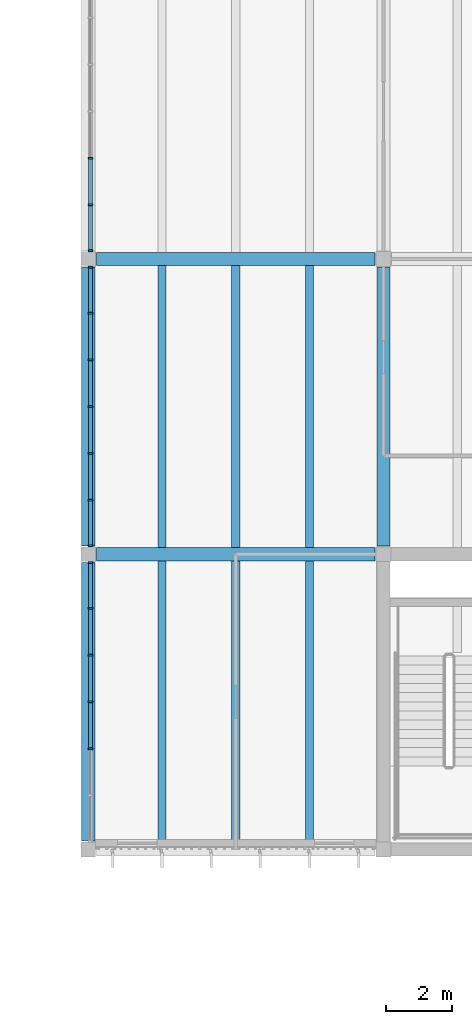
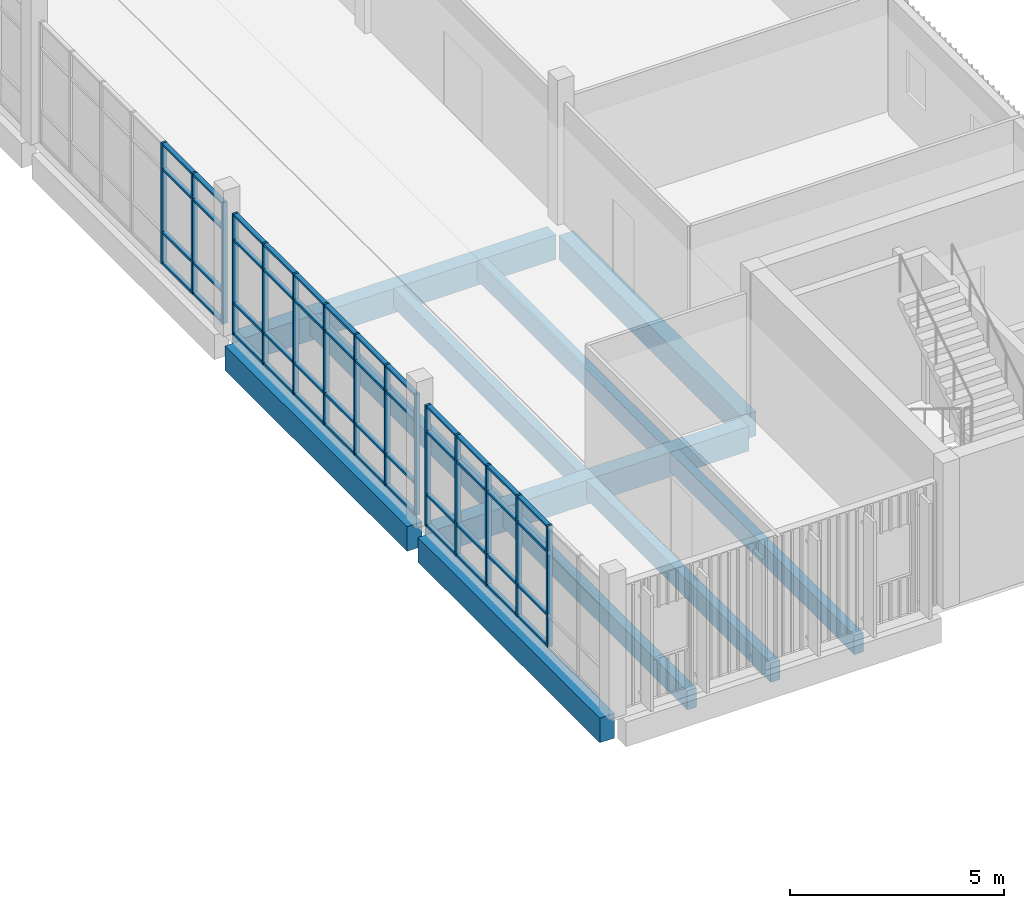
# One storey, part 18 of 88: 63 members, 11 beams, 3 elements without a shape of their own.
"""IFC4 building model written with IfcOpenShell, lengths in metres."""

from ifc_helpers import new_model, si_unit, direction, frame, origin, origin_2d, place, context, subcontext, project, spatial, rectangle, extrude, material, material_profile, profile_set, type_object, element, aggregate, save


model = new_model("IFC4")

# Units and contexts
model_context = context("Model", 3, precision=1e-05, world=origin(), true_north=direction((0.0, 1.0)))
body_context = subcontext(model_context, "Body", "Model", "MODEL_VIEW")
ifc_project = project(units=[si_unit("LENGTHUNIT", "METRE"), si_unit("AREAUNIT", "SQUARE_METRE"), si_unit("VOLUMEUNIT", "CUBIC_METRE"), si_unit("PLANEANGLEUNIT", "RADIAN"), si_unit("MASSUNIT", "GRAM", prefix="KILO")], contexts=[model_context])

# Site, building, storey
site_placement = place(None, origin())
site = spatial("IfcSite", under=ifc_project, at=site_placement, CompositionType="ELEMENT")
building_placement = place(site_placement, origin())
building = spatial("IfcBuilding", under=site, at=building_placement, Name="Merrow Basin Faculty of Sciences", CompositionType="ELEMENT")
storey_placement = place(building_placement, frame((0.0, 0.0, 9.0)))
storey = spatial("IfcBuildingStorey", under=building, at=storey_placement, Name="L02", CompositionType="ELEMENT", Elevation=9.0)

# Curtain wall, members
ifc_material_1 = material(Name="Aluminium alloy 6063", Category="aluminium")
curtain_wall_type = type_object("IfcCurtainWallType", Name="Court curtain wall 140", PredefinedType="NOTDEFINED", material=ifc_material_1)
curtain_wall_1_placement = place(storey_placement, origin())
curtain_wall_1 = element("IfcCurtainWall", 1, at=curtain_wall_1_placement, inside=storey, type_object=curtain_wall_type, Name="Court curtain wall L02 1", PredefinedType="NOTDEFINED")
ifc_material_2 = material(Name="Aluminium alloy 6063", Category="aluminium")
ifc_material_profile_1 = material_profile(ifc_material_2, rectangle(XDim=0.139892578125, YDim=0.06005859375, at=origin_2d()))
ifc_profile_set_1 = profile_set([ifc_material_profile_1], Name="Aluminium alloy 6063")
member_type_1 = type_object("IfcMemberType", Name="Aluminium mullion 60x140", PredefinedType="MULLION", material=ifc_profile_set_1)
member_1_placement = place(storey_placement, frame((54.070068359375, 64.074951171875, 0.0), z_axis=(0.0, 0.0, 1.0), x_axis=(-1.0, 0.0, 0.0)))
member_1 = element("IfcMember", 2, at=member_1_placement, type_object=member_type_1, Name="CW8 mullion 3", PredefinedType="MULLION", context=body_context, shape_type="SweptSolid", body=[
    extrude(rectangle(XDim=0.139892578125, YDim=0.06005859375, at=origin_2d()), origin(), (0.0, 0.0, 1.0), 3.449951171875),
])
member_2_placement = place(storey_placement, frame((54.070068359375, 65.5, 0.0), z_axis=(0.0, 0.0, 1.0), x_axis=(-1.0, 0.0, 0.0)))
member_2 = element("IfcMember", 3, at=member_2_placement, type_object=member_type_1, Name="CW8 mullion 4", PredefinedType="MULLION", context=body_context, shape_type="SweptSolid", body=[
    extrude(rectangle(XDim=0.139892578125, YDim=0.06005859375, at=origin_2d()), origin(), (0.0, 0.0, 1.0), 3.449951171875),
])
member_3_placement = place(storey_placement, frame((54.070068359375, 66.925048828125, 0.0), z_axis=(0.0, 0.0, 1.0), x_axis=(-1.0, 0.0, 0.0)))
member_3 = element("IfcMember", 4, at=member_3_placement, type_object=member_type_1, Name="CW8 mullion 5", PredefinedType="MULLION", context=body_context, shape_type="SweptSolid", body=[
    extrude(rectangle(XDim=0.139892578125, YDim=0.06005859375, at=origin_2d()), origin(), (0.0, 0.0, 1.0), 3.449951171875),
])
member_4_placement = place(storey_placement, frame((54.070068359375, 68.35009765625, 0.0), z_axis=(0.0, 0.0, 1.0), x_axis=(-1.0, 0.0, 0.0)))
member_4 = element("IfcMember", 5, at=member_4_placement, type_object=member_type_1, Name="CW8 mullion 6", PredefinedType="MULLION", context=body_context, shape_type="SweptSolid", body=[
    extrude(rectangle(XDim=0.139892578125, YDim=0.06005859375, at=origin_2d()), origin(), (0.0, 0.0, 1.0), 3.449951171875),
])
member_5_placement = place(storey_placement, frame((54.070068359375, 69.7451171875, 0.0), z_axis=(0.0, 0.0, 1.0), x_axis=(-1.0, 0.0, 0.0)))
member_5 = element("IfcMember", 6, at=member_5_placement, type_object=member_type_1, Name="CW8 mullion 7", PredefinedType="MULLION", context=body_context, shape_type="SweptSolid", body=[
    extrude(rectangle(XDim=0.139892578125, YDim=0.06005859375, at=origin_2d()), origin(), (0.0, 0.0, 1.0), 3.449951171875),
])

curtain_wall_2_placement = place(storey_placement, origin())
curtain_wall_2 = element("IfcCurtainWall", 7, at=curtain_wall_2_placement, inside=storey, type_object=curtain_wall_type, Name="Court curtain wall L02 2", PredefinedType="NOTDEFINED")
member_6_placement = place(storey_placement, frame((54.070068359375, 70.2548828125, 0.0), z_axis=(0.0, 0.0, 1.0), x_axis=(-1.0, 0.0, 0.0)))
member_6 = element("IfcMember", 8, at=member_6_placement, type_object=member_type_1, Name="CW8 mullion 1", PredefinedType="MULLION", context=body_context, shape_type="SweptSolid", body=[
    extrude(rectangle(XDim=0.139892578125, YDim=0.06005859375, at=origin_2d()), origin(), (0.0, 0.0, 1.0), 3.449951171875),
])
member_7_placement = place(storey_placement, frame((54.070068359375, 71.64990234375, 0.0), z_axis=(0.0, 0.0, 1.0), x_axis=(-1.0, 0.0, 0.0)))
member_7 = element("IfcMember", 9, at=member_7_placement, type_object=member_type_1, Name="CW8 mullion 2", PredefinedType="MULLION", context=body_context, shape_type="SweptSolid", body=[
    extrude(rectangle(XDim=0.139892578125, YDim=0.06005859375, at=origin_2d()), origin(), (0.0, 0.0, 1.0), 3.449951171875),
])
member_8_placement = place(storey_placement, frame((54.070068359375, 73.074951171875, 0.0), z_axis=(0.0, 0.0, 1.0), x_axis=(-1.0, 0.0, 0.0)))
member_8 = element("IfcMember", 10, at=member_8_placement, type_object=member_type_1, Name="CW8 mullion 3", PredefinedType="MULLION", context=body_context, shape_type="SweptSolid", body=[
    extrude(rectangle(XDim=0.139892578125, YDim=0.06005859375, at=origin_2d()), origin(), (0.0, 0.0, 1.0), 3.449951171875),
])
member_9_placement = place(storey_placement, frame((54.070068359375, 74.5, 0.0), z_axis=(0.0, 0.0, 1.0), x_axis=(-1.0, 0.0, 0.0)))
member_9 = element("IfcMember", 11, at=member_9_placement, type_object=member_type_1, Name="CW8 mullion 4", PredefinedType="MULLION", context=body_context, shape_type="SweptSolid", body=[
    extrude(rectangle(XDim=0.139892578125, YDim=0.06005859375, at=origin_2d()), origin(), (0.0, 0.0, 1.0), 3.449951171875),
])
member_10_placement = place(storey_placement, frame((54.070068359375, 75.925048828125, 0.0), z_axis=(0.0, 0.0, 1.0), x_axis=(-1.0, 0.0, 0.0)))
member_10 = element("IfcMember", 12, at=member_10_placement, type_object=member_type_1, Name="CW8 mullion 5", PredefinedType="MULLION", context=body_context, shape_type="SweptSolid", body=[
    extrude(rectangle(XDim=0.139892578125, YDim=0.06005859375, at=origin_2d()), origin(), (0.0, 0.0, 1.0), 3.449951171875),
])
member_11_placement = place(storey_placement, frame((54.070068359375, 77.35009765625, 0.0), z_axis=(0.0, 0.0, 1.0), x_axis=(-1.0, 0.0, 0.0)))
member_11 = element("IfcMember", 13, at=member_11_placement, type_object=member_type_1, Name="CW8 mullion 6", PredefinedType="MULLION", context=body_context, shape_type="SweptSolid", body=[
    extrude(rectangle(XDim=0.139892578125, YDim=0.06005859375, at=origin_2d()), origin(), (0.0, 0.0, 1.0), 3.449951171875),
])
member_12_placement = place(storey_placement, frame((54.070068359375, 78.7451171875, 0.0), z_axis=(0.0, 0.0, 1.0), x_axis=(-1.0, 0.0, 0.0)))
member_12 = element("IfcMember", 14, at=member_12_placement, type_object=member_type_1, Name="CW8 mullion 7", PredefinedType="MULLION", context=body_context, shape_type="SweptSolid", body=[
    extrude(rectangle(XDim=0.139892578125, YDim=0.06005859375, at=origin_2d()), origin(), (0.0, 0.0, 1.0), 3.449951171875),
])

curtain_wall_3_placement = place(storey_placement, origin())
curtain_wall_3 = element("IfcCurtainWall", 15, at=curtain_wall_3_placement, inside=storey, type_object=curtain_wall_type, Name="Court curtain wall L02 3", PredefinedType="NOTDEFINED")
member_13_placement = place(storey_placement, frame((54.070068359375, 79.2548828125, 0.0), z_axis=(0.0, 0.0, 1.0), x_axis=(-1.0, 0.0, 0.0)))
member_13 = element("IfcMember", 16, at=member_13_placement, type_object=member_type_1, Name="CW8 mullion 1", PredefinedType="MULLION", context=body_context, shape_type="SweptSolid", body=[
    extrude(rectangle(XDim=0.139892578125, YDim=0.06005859375, at=origin_2d()), origin(), (0.0, 0.0, 1.0), 3.449951171875),
])
member_14_placement = place(storey_placement, frame((54.070068359375, 80.64990234375, 0.0), z_axis=(0.0, 0.0, 1.0), x_axis=(-1.0, 0.0, 0.0)))
member_14 = element("IfcMember", 17, at=member_14_placement, type_object=member_type_1, Name="CW8 mullion 2", PredefinedType="MULLION", context=body_context, shape_type="SweptSolid", body=[
    extrude(rectangle(XDim=0.139892578125, YDim=0.06005859375, at=origin_2d()), origin(), (0.0, 0.0, 1.0), 3.449951171875),
])
member_15_placement = place(storey_placement, frame((54.070068359375, 82.074951171875, 0.0), z_axis=(0.0, 0.0, 1.0), x_axis=(-1.0, 0.0, 0.0)))
member_15 = element("IfcMember", 18, at=member_15_placement, type_object=member_type_1, Name="CW8 mullion 3", PredefinedType="MULLION", context=body_context, shape_type="SweptSolid", body=[
    extrude(rectangle(XDim=0.139892578125, YDim=0.06005859375, at=origin_2d()), origin(), (0.0, 0.0, 1.0), 3.449951171875),
])

# Member
ifc_material_3 = material(Name="Aluminium alloy 6063", Category="aluminium")
ifc_material_profile_2 = material_profile(ifc_material_3, rectangle(XDim=0.1201171875, YDim=0.06005859375, at=origin_2d()))
ifc_profile_set_2 = profile_set([ifc_material_profile_2], Name="Aluminium alloy 6063")
member_type_2 = type_object("IfcMemberType", Name="Aluminium transom 60x120", PredefinedType="USERDEFINED", material=ifc_profile_set_2)
member_16_placement = place(storey_placement, frame((54.070068359375, 64.10498046875, 0.030029296875), z_axis=(0.0, 1.0, 0.0), x_axis=(-1.0, 0.0, 0.0)))
member_16 = element("IfcMember", 19, at=member_16_placement, type_object=member_type_2, Name="CW8 transom 3.1", ObjectType="TRANSOM", PredefinedType="USERDEFINED", context=body_context, shape_type="SweptSolid", body=[
    extrude(rectangle(XDim=0.1201171875, YDim=0.06005859375, at=origin_2d()), origin(), (0.0, 0.0, 1.0), 1.364990234375),
])

member_17_placement = place(storey_placement, frame((54.070068359375, 64.10498046875, 0.89990234375), z_axis=(0.0, 1.0, 0.0), x_axis=(-1.0, 0.0, 0.0)))
member_17 = element("IfcMember", 20, at=member_17_placement, type_object=member_type_2, Name="CW8 transom 3.2", ObjectType="TRANSOM", PredefinedType="USERDEFINED", context=body_context, shape_type="SweptSolid", body=[
    extrude(rectangle(XDim=0.1201171875, YDim=0.06005859375, at=origin_2d()), origin(), (0.0, 0.0, 1.0), 1.364990234375),
])

member_18_placement = place(storey_placement, frame((54.070068359375, 64.10498046875, 2.699951171875), z_axis=(0.0, 1.0, 0.0), x_axis=(-1.0, 0.0, 0.0)))
member_18 = element("IfcMember", 21, at=member_18_placement, type_object=member_type_2, Name="CW8 transom 3.3", ObjectType="TRANSOM", PredefinedType="USERDEFINED", context=body_context, shape_type="SweptSolid", body=[
    extrude(rectangle(XDim=0.1201171875, YDim=0.06005859375, at=origin_2d()), origin(), (0.0, 0.0, 1.0), 1.364990234375),
])

member_19_placement = place(storey_placement, frame((54.070068359375, 64.10498046875, 3.419921875), z_axis=(0.0, 1.0, 0.0), x_axis=(-1.0, 0.0, 0.0)))
member_19 = element("IfcMember", 22, at=member_19_placement, type_object=member_type_2, Name="CW8 transom 3.4", ObjectType="TRANSOM", PredefinedType="USERDEFINED", context=body_context, shape_type="SweptSolid", body=[
    extrude(rectangle(XDim=0.1201171875, YDim=0.06005859375, at=origin_2d()), origin(), (0.0, 0.0, 1.0), 1.364990234375),
])

member_20_placement = place(storey_placement, frame((54.070068359375, 65.530029296875, 0.030029296875), z_axis=(0.0, 1.0, 0.0), x_axis=(-1.0, 0.0, 0.0)))
member_20 = element("IfcMember", 23, at=member_20_placement, type_object=member_type_2, Name="CW8 transom 4.1", ObjectType="TRANSOM", PredefinedType="USERDEFINED", context=body_context, shape_type="SweptSolid", body=[
    extrude(rectangle(XDim=0.1201171875, YDim=0.06005859375, at=origin_2d()), origin(), (0.0, 0.0, 1.0), 1.364990234375),
])

member_21_placement = place(storey_placement, frame((54.070068359375, 65.530029296875, 0.89990234375), z_axis=(0.0, 1.0, 0.0), x_axis=(-1.0, 0.0, 0.0)))
member_21 = element("IfcMember", 24, at=member_21_placement, type_object=member_type_2, Name="CW8 transom 4.2", ObjectType="TRANSOM", PredefinedType="USERDEFINED", context=body_context, shape_type="SweptSolid", body=[
    extrude(rectangle(XDim=0.1201171875, YDim=0.06005859375, at=origin_2d()), origin(), (0.0, 0.0, 1.0), 1.364990234375),
])

member_22_placement = place(storey_placement, frame((54.070068359375, 65.530029296875, 2.699951171875), z_axis=(0.0, 1.0, 0.0), x_axis=(-1.0, 0.0, 0.0)))
member_22 = element("IfcMember", 25, at=member_22_placement, type_object=member_type_2, Name="CW8 transom 4.3", ObjectType="TRANSOM", PredefinedType="USERDEFINED", context=body_context, shape_type="SweptSolid", body=[
    extrude(rectangle(XDim=0.1201171875, YDim=0.06005859375, at=origin_2d()), origin(), (0.0, 0.0, 1.0), 1.364990234375),
])

member_23_placement = place(storey_placement, frame((54.070068359375, 65.530029296875, 3.419921875), z_axis=(0.0, 1.0, 0.0), x_axis=(-1.0, 0.0, 0.0)))
member_23 = element("IfcMember", 26, at=member_23_placement, type_object=member_type_2, Name="CW8 transom 4.4", ObjectType="TRANSOM", PredefinedType="USERDEFINED", context=body_context, shape_type="SweptSolid", body=[
    extrude(rectangle(XDim=0.1201171875, YDim=0.06005859375, at=origin_2d()), origin(), (0.0, 0.0, 1.0), 1.364990234375),
])

member_24_placement = place(storey_placement, frame((54.070068359375, 66.955078125, 0.030029296875), z_axis=(0.0, 1.0, 0.0), x_axis=(-1.0, 0.0, 0.0)))
member_24 = element("IfcMember", 27, at=member_24_placement, type_object=member_type_2, Name="CW8 transom 5.1", ObjectType="TRANSOM", PredefinedType="USERDEFINED", context=body_context, shape_type="SweptSolid", body=[
    extrude(rectangle(XDim=0.1201171875, YDim=0.06005859375, at=origin_2d()), origin(), (0.0, 0.0, 1.0), 1.364990234375),
])

member_25_placement = place(storey_placement, frame((54.070068359375, 66.955078125, 0.89990234375), z_axis=(0.0, 1.0, 0.0), x_axis=(-1.0, 0.0, 0.0)))
member_25 = element("IfcMember", 28, at=member_25_placement, type_object=member_type_2, Name="CW8 transom 5.2", ObjectType="TRANSOM", PredefinedType="USERDEFINED", context=body_context, shape_type="SweptSolid", body=[
    extrude(rectangle(XDim=0.1201171875, YDim=0.06005859375, at=origin_2d()), origin(), (0.0, 0.0, 1.0), 1.364990234375),
])

member_26_placement = place(storey_placement, frame((54.070068359375, 66.955078125, 2.699951171875), z_axis=(0.0, 1.0, 0.0), x_axis=(-1.0, 0.0, 0.0)))
member_26 = element("IfcMember", 29, at=member_26_placement, type_object=member_type_2, Name="CW8 transom 5.3", ObjectType="TRANSOM", PredefinedType="USERDEFINED", context=body_context, shape_type="SweptSolid", body=[
    extrude(rectangle(XDim=0.1201171875, YDim=0.06005859375, at=origin_2d()), origin(), (0.0, 0.0, 1.0), 1.364990234375),
])

member_27_placement = place(storey_placement, frame((54.070068359375, 66.955078125, 3.419921875), z_axis=(0.0, 1.0, 0.0), x_axis=(-1.0, 0.0, 0.0)))
member_27 = element("IfcMember", 30, at=member_27_placement, type_object=member_type_2, Name="CW8 transom 5.4", ObjectType="TRANSOM", PredefinedType="USERDEFINED", context=body_context, shape_type="SweptSolid", body=[
    extrude(rectangle(XDim=0.1201171875, YDim=0.06005859375, at=origin_2d()), origin(), (0.0, 0.0, 1.0), 1.364990234375),
])

member_28_placement = place(storey_placement, frame((54.070068359375, 68.3798828125, 0.030029296875), z_axis=(0.0, 1.0, 0.0), x_axis=(-1.0, 0.0, 0.0)))
member_28 = element("IfcMember", 31, at=member_28_placement, type_object=member_type_2, Name="CW8 transom 6.1", ObjectType="TRANSOM", PredefinedType="USERDEFINED", context=body_context, shape_type="SweptSolid", body=[
    extrude(rectangle(XDim=0.1201171875, YDim=0.06005859375, at=origin_2d()), origin(), (0.0, 0.0, 1.0), 1.335205078125),
])

member_29_placement = place(storey_placement, frame((54.070068359375, 68.3798828125, 0.89990234375), z_axis=(0.0, 1.0, 0.0), x_axis=(-1.0, 0.0, 0.0)))
member_29 = element("IfcMember", 32, at=member_29_placement, type_object=member_type_2, Name="CW8 transom 6.2", ObjectType="TRANSOM", PredefinedType="USERDEFINED", context=body_context, shape_type="SweptSolid", body=[
    extrude(rectangle(XDim=0.1201171875, YDim=0.06005859375, at=origin_2d()), origin(), (0.0, 0.0, 1.0), 1.335205078125),
])

member_30_placement = place(storey_placement, frame((54.070068359375, 68.3798828125, 2.699951171875), z_axis=(0.0, 1.0, 0.0), x_axis=(-1.0, 0.0, 0.0)))
member_30 = element("IfcMember", 33, at=member_30_placement, type_object=member_type_2, Name="CW8 transom 6.3", ObjectType="TRANSOM", PredefinedType="USERDEFINED", context=body_context, shape_type="SweptSolid", body=[
    extrude(rectangle(XDim=0.1201171875, YDim=0.06005859375, at=origin_2d()), origin(), (0.0, 0.0, 1.0), 1.335205078125),
])

member_31_placement = place(storey_placement, frame((54.070068359375, 68.3798828125, 3.419921875), z_axis=(0.0, 1.0, 0.0), x_axis=(-1.0, 0.0, 0.0)))
member_31 = element("IfcMember", 34, at=member_31_placement, type_object=member_type_2, Name="CW8 transom 6.4", ObjectType="TRANSOM", PredefinedType="USERDEFINED", context=body_context, shape_type="SweptSolid", body=[
    extrude(rectangle(XDim=0.1201171875, YDim=0.06005859375, at=origin_2d()), origin(), (0.0, 0.0, 1.0), 1.335205078125),
])

aggregate(curtain_wall_1, [member_1, member_2, member_3, member_4, member_5, member_16, member_17, member_18, member_19, member_20, member_21, member_22, member_23, member_24, member_25, member_26, member_27, member_28, member_29, member_30, member_31])

member_32_placement = place(storey_placement, frame((54.070068359375, 70.284912109375, 0.030029296875), z_axis=(0.0, 1.0, 0.0), x_axis=(-1.0, 0.0, 0.0)))
member_32 = element("IfcMember", 35, at=member_32_placement, type_object=member_type_2, Name="CW8 transom 1.1", ObjectType="TRANSOM", PredefinedType="USERDEFINED", context=body_context, shape_type="SweptSolid", body=[
    extrude(rectangle(XDim=0.1201171875, YDim=0.06005859375, at=origin_2d()), origin(), (0.0, 0.0, 1.0), 1.335205078125),
])

member_33_placement = place(storey_placement, frame((54.070068359375, 70.284912109375, 0.89990234375), z_axis=(0.0, 1.0, 0.0), x_axis=(-1.0, 0.0, 0.0)))
member_33 = element("IfcMember", 36, at=member_33_placement, type_object=member_type_2, Name="CW8 transom 1.2", ObjectType="TRANSOM", PredefinedType="USERDEFINED", context=body_context, shape_type="SweptSolid", body=[
    extrude(rectangle(XDim=0.1201171875, YDim=0.06005859375, at=origin_2d()), origin(), (0.0, 0.0, 1.0), 1.335205078125),
])

member_34_placement = place(storey_placement, frame((54.070068359375, 70.284912109375, 2.699951171875), z_axis=(0.0, 1.0, 0.0), x_axis=(-1.0, 0.0, 0.0)))
member_34 = element("IfcMember", 37, at=member_34_placement, type_object=member_type_2, Name="CW8 transom 1.3", ObjectType="TRANSOM", PredefinedType="USERDEFINED", context=body_context, shape_type="SweptSolid", body=[
    extrude(rectangle(XDim=0.1201171875, YDim=0.06005859375, at=origin_2d()), origin(), (0.0, 0.0, 1.0), 1.335205078125),
])

member_35_placement = place(storey_placement, frame((54.070068359375, 70.284912109375, 3.419921875), z_axis=(0.0, 1.0, 0.0), x_axis=(-1.0, 0.0, 0.0)))
member_35 = element("IfcMember", 38, at=member_35_placement, type_object=member_type_2, Name="CW8 transom 1.4", ObjectType="TRANSOM", PredefinedType="USERDEFINED", context=body_context, shape_type="SweptSolid", body=[
    extrude(rectangle(XDim=0.1201171875, YDim=0.06005859375, at=origin_2d()), origin(), (0.0, 0.0, 1.0), 1.335205078125),
])

member_36_placement = place(storey_placement, frame((54.070068359375, 71.679931640625, 0.030029296875), z_axis=(0.0, 1.0, 0.0), x_axis=(-1.0, 0.0, 0.0)))
member_36 = element("IfcMember", 39, at=member_36_placement, type_object=member_type_2, Name="CW8 transom 2.1", ObjectType="TRANSOM", PredefinedType="USERDEFINED", context=body_context, shape_type="SweptSolid", body=[
    extrude(rectangle(XDim=0.1201171875, YDim=0.06005859375, at=origin_2d()), origin(), (0.0, 0.0, 1.0), 1.364990234375),
])

member_37_placement = place(storey_placement, frame((54.070068359375, 71.679931640625, 0.89990234375), z_axis=(0.0, 1.0, 0.0), x_axis=(-1.0, 0.0, 0.0)))
member_37 = element("IfcMember", 40, at=member_37_placement, type_object=member_type_2, Name="CW8 transom 2.2", ObjectType="TRANSOM", PredefinedType="USERDEFINED", context=body_context, shape_type="SweptSolid", body=[
    extrude(rectangle(XDim=0.1201171875, YDim=0.06005859375, at=origin_2d()), origin(), (0.0, 0.0, 1.0), 1.364990234375),
])

member_38_placement = place(storey_placement, frame((54.070068359375, 71.679931640625, 2.699951171875), z_axis=(0.0, 1.0, 0.0), x_axis=(-1.0, 0.0, 0.0)))
member_38 = element("IfcMember", 41, at=member_38_placement, type_object=member_type_2, Name="CW8 transom 2.3", ObjectType="TRANSOM", PredefinedType="USERDEFINED", context=body_context, shape_type="SweptSolid", body=[
    extrude(rectangle(XDim=0.1201171875, YDim=0.06005859375, at=origin_2d()), origin(), (0.0, 0.0, 1.0), 1.364990234375),
])

member_39_placement = place(storey_placement, frame((54.070068359375, 71.679931640625, 3.419921875), z_axis=(0.0, 1.0, 0.0), x_axis=(-1.0, 0.0, 0.0)))
member_39 = element("IfcMember", 42, at=member_39_placement, type_object=member_type_2, Name="CW8 transom 2.4", ObjectType="TRANSOM", PredefinedType="USERDEFINED", context=body_context, shape_type="SweptSolid", body=[
    extrude(rectangle(XDim=0.1201171875, YDim=0.06005859375, at=origin_2d()), origin(), (0.0, 0.0, 1.0), 1.364990234375),
])

member_40_placement = place(storey_placement, frame((54.070068359375, 73.10498046875, 0.030029296875), z_axis=(0.0, 1.0, 0.0), x_axis=(-1.0, 0.0, 0.0)))
member_40 = element("IfcMember", 43, at=member_40_placement, type_object=member_type_2, Name="CW8 transom 3.1", ObjectType="TRANSOM", PredefinedType="USERDEFINED", context=body_context, shape_type="SweptSolid", body=[
    extrude(rectangle(XDim=0.1201171875, YDim=0.06005859375, at=origin_2d()), origin(), (0.0, 0.0, 1.0), 1.364990234375),
])

member_41_placement = place(storey_placement, frame((54.070068359375, 73.10498046875, 0.89990234375), z_axis=(0.0, 1.0, 0.0), x_axis=(-1.0, 0.0, 0.0)))
member_41 = element("IfcMember", 44, at=member_41_placement, type_object=member_type_2, Name="CW8 transom 3.2", ObjectType="TRANSOM", PredefinedType="USERDEFINED", context=body_context, shape_type="SweptSolid", body=[
    extrude(rectangle(XDim=0.1201171875, YDim=0.06005859375, at=origin_2d()), origin(), (0.0, 0.0, 1.0), 1.364990234375),
])

member_42_placement = place(storey_placement, frame((54.070068359375, 73.10498046875, 2.699951171875), z_axis=(0.0, 1.0, 0.0), x_axis=(-1.0, 0.0, 0.0)))
member_42 = element("IfcMember", 45, at=member_42_placement, type_object=member_type_2, Name="CW8 transom 3.3", ObjectType="TRANSOM", PredefinedType="USERDEFINED", context=body_context, shape_type="SweptSolid", body=[
    extrude(rectangle(XDim=0.1201171875, YDim=0.06005859375, at=origin_2d()), origin(), (0.0, 0.0, 1.0), 1.364990234375),
])

member_43_placement = place(storey_placement, frame((54.070068359375, 73.10498046875, 3.419921875), z_axis=(0.0, 1.0, 0.0), x_axis=(-1.0, 0.0, 0.0)))
member_43 = element("IfcMember", 46, at=member_43_placement, type_object=member_type_2, Name="CW8 transom 3.4", ObjectType="TRANSOM", PredefinedType="USERDEFINED", context=body_context, shape_type="SweptSolid", body=[
    extrude(rectangle(XDim=0.1201171875, YDim=0.06005859375, at=origin_2d()), origin(), (0.0, 0.0, 1.0), 1.364990234375),
])

member_44_placement = place(storey_placement, frame((54.070068359375, 74.530029296875, 0.030029296875), z_axis=(0.0, 1.0, 0.0), x_axis=(-1.0, 0.0, 0.0)))
member_44 = element("IfcMember", 47, at=member_44_placement, type_object=member_type_2, Name="CW8 transom 4.1", ObjectType="TRANSOM", PredefinedType="USERDEFINED", context=body_context, shape_type="SweptSolid", body=[
    extrude(rectangle(XDim=0.1201171875, YDim=0.06005859375, at=origin_2d()), origin(), (0.0, 0.0, 1.0), 1.364990234375),
])

member_45_placement = place(storey_placement, frame((54.070068359375, 74.530029296875, 0.89990234375), z_axis=(0.0, 1.0, 0.0), x_axis=(-1.0, 0.0, 0.0)))
member_45 = element("IfcMember", 48, at=member_45_placement, type_object=member_type_2, Name="CW8 transom 4.2", ObjectType="TRANSOM", PredefinedType="USERDEFINED", context=body_context, shape_type="SweptSolid", body=[
    extrude(rectangle(XDim=0.1201171875, YDim=0.06005859375, at=origin_2d()), origin(), (0.0, 0.0, 1.0), 1.364990234375),
])

member_46_placement = place(storey_placement, frame((54.070068359375, 74.530029296875, 2.699951171875), z_axis=(0.0, 1.0, 0.0), x_axis=(-1.0, 0.0, 0.0)))
member_46 = element("IfcMember", 49, at=member_46_placement, type_object=member_type_2, Name="CW8 transom 4.3", ObjectType="TRANSOM", PredefinedType="USERDEFINED", context=body_context, shape_type="SweptSolid", body=[
    extrude(rectangle(XDim=0.1201171875, YDim=0.06005859375, at=origin_2d()), origin(), (0.0, 0.0, 1.0), 1.364990234375),
])

member_47_placement = place(storey_placement, frame((54.070068359375, 74.530029296875, 3.419921875), z_axis=(0.0, 1.0, 0.0), x_axis=(-1.0, 0.0, 0.0)))
member_47 = element("IfcMember", 50, at=member_47_placement, type_object=member_type_2, Name="CW8 transom 4.4", ObjectType="TRANSOM", PredefinedType="USERDEFINED", context=body_context, shape_type="SweptSolid", body=[
    extrude(rectangle(XDim=0.1201171875, YDim=0.06005859375, at=origin_2d()), origin(), (0.0, 0.0, 1.0), 1.364990234375),
])

member_48_placement = place(storey_placement, frame((54.070068359375, 75.955078125, 0.030029296875), z_axis=(0.0, 1.0, 0.0), x_axis=(-1.0, 0.0, 0.0)))
member_48 = element("IfcMember", 51, at=member_48_placement, type_object=member_type_2, Name="CW8 transom 5.1", ObjectType="TRANSOM", PredefinedType="USERDEFINED", context=body_context, shape_type="SweptSolid", body=[
    extrude(rectangle(XDim=0.1201171875, YDim=0.06005859375, at=origin_2d()), origin(), (0.0, 0.0, 1.0), 1.364990234375),
])

member_49_placement = place(storey_placement, frame((54.070068359375, 75.955078125, 0.89990234375), z_axis=(0.0, 1.0, 0.0), x_axis=(-1.0, 0.0, 0.0)))
member_49 = element("IfcMember", 52, at=member_49_placement, type_object=member_type_2, Name="CW8 transom 5.2", ObjectType="TRANSOM", PredefinedType="USERDEFINED", context=body_context, shape_type="SweptSolid", body=[
    extrude(rectangle(XDim=0.1201171875, YDim=0.06005859375, at=origin_2d()), origin(), (0.0, 0.0, 1.0), 1.364990234375),
])

member_50_placement = place(storey_placement, frame((54.070068359375, 75.955078125, 2.699951171875), z_axis=(0.0, 1.0, 0.0), x_axis=(-1.0, 0.0, 0.0)))
member_50 = element("IfcMember", 53, at=member_50_placement, type_object=member_type_2, Name="CW8 transom 5.3", ObjectType="TRANSOM", PredefinedType="USERDEFINED", context=body_context, shape_type="SweptSolid", body=[
    extrude(rectangle(XDim=0.1201171875, YDim=0.06005859375, at=origin_2d()), origin(), (0.0, 0.0, 1.0), 1.364990234375),
])

member_51_placement = place(storey_placement, frame((54.070068359375, 75.955078125, 3.419921875), z_axis=(0.0, 1.0, 0.0), x_axis=(-1.0, 0.0, 0.0)))
member_51 = element("IfcMember", 54, at=member_51_placement, type_object=member_type_2, Name="CW8 transom 5.4", ObjectType="TRANSOM", PredefinedType="USERDEFINED", context=body_context, shape_type="SweptSolid", body=[
    extrude(rectangle(XDim=0.1201171875, YDim=0.06005859375, at=origin_2d()), origin(), (0.0, 0.0, 1.0), 1.364990234375),
])

member_52_placement = place(storey_placement, frame((54.070068359375, 77.3798828125, 0.030029296875), z_axis=(0.0, 1.0, 0.0), x_axis=(-1.0, 0.0, 0.0)))
member_52 = element("IfcMember", 55, at=member_52_placement, type_object=member_type_2, Name="CW8 transom 6.1", ObjectType="TRANSOM", PredefinedType="USERDEFINED", context=body_context, shape_type="SweptSolid", body=[
    extrude(rectangle(XDim=0.1201171875, YDim=0.06005859375, at=origin_2d()), origin(), (0.0, 0.0, 1.0), 1.335205078125),
])

member_53_placement = place(storey_placement, frame((54.070068359375, 77.3798828125, 0.89990234375), z_axis=(0.0, 1.0, 0.0), x_axis=(-1.0, 0.0, 0.0)))
member_53 = element("IfcMember", 56, at=member_53_placement, type_object=member_type_2, Name="CW8 transom 6.2", ObjectType="TRANSOM", PredefinedType="USERDEFINED", context=body_context, shape_type="SweptSolid", body=[
    extrude(rectangle(XDim=0.1201171875, YDim=0.06005859375, at=origin_2d()), origin(), (0.0, 0.0, 1.0), 1.335205078125),
])

member_54_placement = place(storey_placement, frame((54.070068359375, 77.3798828125, 2.699951171875), z_axis=(0.0, 1.0, 0.0), x_axis=(-1.0, 0.0, 0.0)))
member_54 = element("IfcMember", 57, at=member_54_placement, type_object=member_type_2, Name="CW8 transom 6.3", ObjectType="TRANSOM", PredefinedType="USERDEFINED", context=body_context, shape_type="SweptSolid", body=[
    extrude(rectangle(XDim=0.1201171875, YDim=0.06005859375, at=origin_2d()), origin(), (0.0, 0.0, 1.0), 1.335205078125),
])

member_55_placement = place(storey_placement, frame((54.070068359375, 77.3798828125, 3.419921875), z_axis=(0.0, 1.0, 0.0), x_axis=(-1.0, 0.0, 0.0)))
member_55 = element("IfcMember", 58, at=member_55_placement, type_object=member_type_2, Name="CW8 transom 6.4", ObjectType="TRANSOM", PredefinedType="USERDEFINED", context=body_context, shape_type="SweptSolid", body=[
    extrude(rectangle(XDim=0.1201171875, YDim=0.06005859375, at=origin_2d()), origin(), (0.0, 0.0, 1.0), 1.335205078125),
])

aggregate(curtain_wall_2, [member_6, member_7, member_8, member_9, member_10, member_11, member_12, member_32, member_33, member_34, member_35, member_36, member_37, member_38, member_39, member_40, member_41, member_42, member_43, member_44, member_45, member_46, member_47, member_48, member_49, member_50, member_51, member_52, member_53, member_54, member_55])

member_56_placement = place(storey_placement, frame((54.070068359375, 79.284912109375, 0.030029296875), z_axis=(0.0, 1.0, 0.0), x_axis=(-1.0, 0.0, 0.0)))
member_56 = element("IfcMember", 59, at=member_56_placement, type_object=member_type_2, Name="CW8 transom 1.1", ObjectType="TRANSOM", PredefinedType="USERDEFINED", context=body_context, shape_type="SweptSolid", body=[
    extrude(rectangle(XDim=0.1201171875, YDim=0.06005859375, at=origin_2d()), origin(), (0.0, 0.0, 1.0), 1.335205078125),
])

member_57_placement = place(storey_placement, frame((54.070068359375, 79.284912109375, 0.89990234375), z_axis=(0.0, 1.0, 0.0), x_axis=(-1.0, 0.0, 0.0)))
member_57 = element("IfcMember", 60, at=member_57_placement, type_object=member_type_2, Name="CW8 transom 1.2", ObjectType="TRANSOM", PredefinedType="USERDEFINED", context=body_context, shape_type="SweptSolid", body=[
    extrude(rectangle(XDim=0.1201171875, YDim=0.06005859375, at=origin_2d()), origin(), (0.0, 0.0, 1.0), 1.335205078125),
])

member_58_placement = place(storey_placement, frame((54.070068359375, 79.284912109375, 2.699951171875), z_axis=(0.0, 1.0, 0.0), x_axis=(-1.0, 0.0, 0.0)))
member_58 = element("IfcMember", 61, at=member_58_placement, type_object=member_type_2, Name="CW8 transom 1.3", ObjectType="TRANSOM", PredefinedType="USERDEFINED", context=body_context, shape_type="SweptSolid", body=[
    extrude(rectangle(XDim=0.1201171875, YDim=0.06005859375, at=origin_2d()), origin(), (0.0, 0.0, 1.0), 1.335205078125),
])

member_59_placement = place(storey_placement, frame((54.070068359375, 79.284912109375, 3.419921875), z_axis=(0.0, 1.0, 0.0), x_axis=(-1.0, 0.0, 0.0)))
member_59 = element("IfcMember", 62, at=member_59_placement, type_object=member_type_2, Name="CW8 transom 1.4", ObjectType="TRANSOM", PredefinedType="USERDEFINED", context=body_context, shape_type="SweptSolid", body=[
    extrude(rectangle(XDim=0.1201171875, YDim=0.06005859375, at=origin_2d()), origin(), (0.0, 0.0, 1.0), 1.335205078125),
])

member_60_placement = place(storey_placement, frame((54.070068359375, 80.679931640625, 0.030029296875), z_axis=(0.0, 1.0, 0.0), x_axis=(-1.0, 0.0, 0.0)))
member_60 = element("IfcMember", 63, at=member_60_placement, type_object=member_type_2, Name="CW8 transom 2.1", ObjectType="TRANSOM", PredefinedType="USERDEFINED", context=body_context, shape_type="SweptSolid", body=[
    extrude(rectangle(XDim=0.1201171875, YDim=0.06005859375, at=origin_2d()), origin(), (0.0, 0.0, 1.0), 1.364990234375),
])

member_61_placement = place(storey_placement, frame((54.070068359375, 80.679931640625, 0.89990234375), z_axis=(0.0, 1.0, 0.0), x_axis=(-1.0, 0.0, 0.0)))
member_61 = element("IfcMember", 64, at=member_61_placement, type_object=member_type_2, Name="CW8 transom 2.2", ObjectType="TRANSOM", PredefinedType="USERDEFINED", context=body_context, shape_type="SweptSolid", body=[
    extrude(rectangle(XDim=0.1201171875, YDim=0.06005859375, at=origin_2d()), origin(), (0.0, 0.0, 1.0), 1.364990234375),
])

member_62_placement = place(storey_placement, frame((54.070068359375, 80.679931640625, 2.699951171875), z_axis=(0.0, 1.0, 0.0), x_axis=(-1.0, 0.0, 0.0)))
member_62 = element("IfcMember", 65, at=member_62_placement, type_object=member_type_2, Name="CW8 transom 2.3", ObjectType="TRANSOM", PredefinedType="USERDEFINED", context=body_context, shape_type="SweptSolid", body=[
    extrude(rectangle(XDim=0.1201171875, YDim=0.06005859375, at=origin_2d()), origin(), (0.0, 0.0, 1.0), 1.364990234375),
])

member_63_placement = place(storey_placement, frame((54.070068359375, 80.679931640625, 3.419921875), z_axis=(0.0, 1.0, 0.0), x_axis=(-1.0, 0.0, 0.0)))
member_63 = element("IfcMember", 66, at=member_63_placement, type_object=member_type_2, Name="CW8 transom 2.4", ObjectType="TRANSOM", PredefinedType="USERDEFINED", context=body_context, shape_type="SweptSolid", body=[
    extrude(rectangle(XDim=0.1201171875, YDim=0.06005859375, at=origin_2d()), origin(), (0.0, 0.0, 1.0), 1.364990234375),
])

aggregate(curtain_wall_3, [member_13, member_14, member_15, member_56, member_57, member_58, member_59, member_60, member_61, member_62, member_63])

# Beams
ifc_material_4 = material(Name="Concrete C40/50", Category="concrete")
ifc_material_profile_3 = material_profile(ifc_material_4, rectangle(XDim=0.39990234375, YDim=0.699951171875, at=origin_2d()))
ifc_profile_set_3 = profile_set([ifc_material_profile_3], Name="Concrete C40/50")
beam_type_1 = type_object("IfcBeamType", Name="Beam RC400x700 C40/50", PredefinedType="BEAM", material=ifc_profile_set_3)
for number, where, z_axis, x_axis, name in (
    (67, (54.25, 70.0, -0.60009765625), (1.0, 0.0, 0.0), (0.0, 1.0, 0.0), "B3 L02 002"),
    (68, (54.25, 79.0, -0.60009765625), (1.0, 0.0, 0.0), (0.0, 1.0, 0.0), "B3 L02 003"),
    (69, (54.0, 61.25, -0.60009765625), (0.0, 1.0, 0.0), (-1.0, 0.0, 0.0), "B3 L02 024"),
    (70, (54.0, 70.25, -0.60009765625), (0.0, 1.0, 0.0), (-1.0, 0.0, 0.0), "B3 L02 025"),
    (71, (63.0, 70.25, -0.60009765625), (0.0, 1.0, 0.0), (-1.0, 0.0, 0.0), "B3 L02 032"),
):
    element("IfcBeam", number, at=place(storey_placement, frame(where, z_axis=z_axis, x_axis=x_axis)), inside=storey, type_object=beam_type_1, Name=name, PredefinedType="BEAM", context=body_context, shape_type="SweptSolid", body=[
        extrude(rectangle(XDim=0.39990234375, YDim=0.699951171875, at=origin_2d()), origin(), (0.0, 0.0, 1.0), 8.5),
    ])
ifc_material_5 = material(Name="Concrete C40/50", Category="concrete")
ifc_material_profile_4 = material_profile(ifc_material_5, rectangle(XDim=0.25, YDim=0.550048828125, at=origin_2d()))
ifc_profile_set_4 = profile_set([ifc_material_profile_4], Name="Concrete C40/50")
beam_type_2 = type_object("IfcBeamType", Name="Commons floor joist RC250x550 C40/50", PredefinedType="BEAM", material=ifc_profile_set_4)
for number, where, z_axis, x_axis, name in (
    (72, (56.25, 61.199951171875, -0.52490234375), (0.0, 1.0, 0.0), (-1.0, 0.0, 0.0), "JC1 L02 060"),
    (73, (58.5, 61.199951171875, -0.52490234375), (0.0, 1.0, 0.0), (-1.0, 0.0, 0.0), "JC1 L02 061"),
    (74, (60.75, 61.199951171875, -0.52490234375), (0.0, 1.0, 0.0), (-1.0, 0.0, 0.0), "JC1 L02 062"),
    (75, (56.25, 70.199951171875, -0.52490234375), (0.0, 1.0, 0.0), (-1.0, 0.0, 0.0), "JC1 L02 063"),
    (76, (58.5, 70.199951171875, -0.52490234375), (0.0, 1.0, 0.0), (-1.0, 0.0, 0.0), "JC1 L02 064"),
    (77, (60.75, 70.199951171875, -0.52490234375), (0.0, 1.0, 0.0), (-1.0, 0.0, 0.0), "JC1 L02 065"),
):
    element("IfcBeam", number, at=place(storey_placement, frame(where, z_axis=z_axis, x_axis=x_axis)), inside=storey, type_object=beam_type_2, Name=name, PredefinedType="BEAM", context=body_context, shape_type="SweptSolid", body=[
        extrude(rectangle(XDim=0.25, YDim=0.550048828125, at=origin_2d()), origin(), (0.0, 0.0, 1.0), 8.60009765625),
    ])

save(model, "model.ifc")
